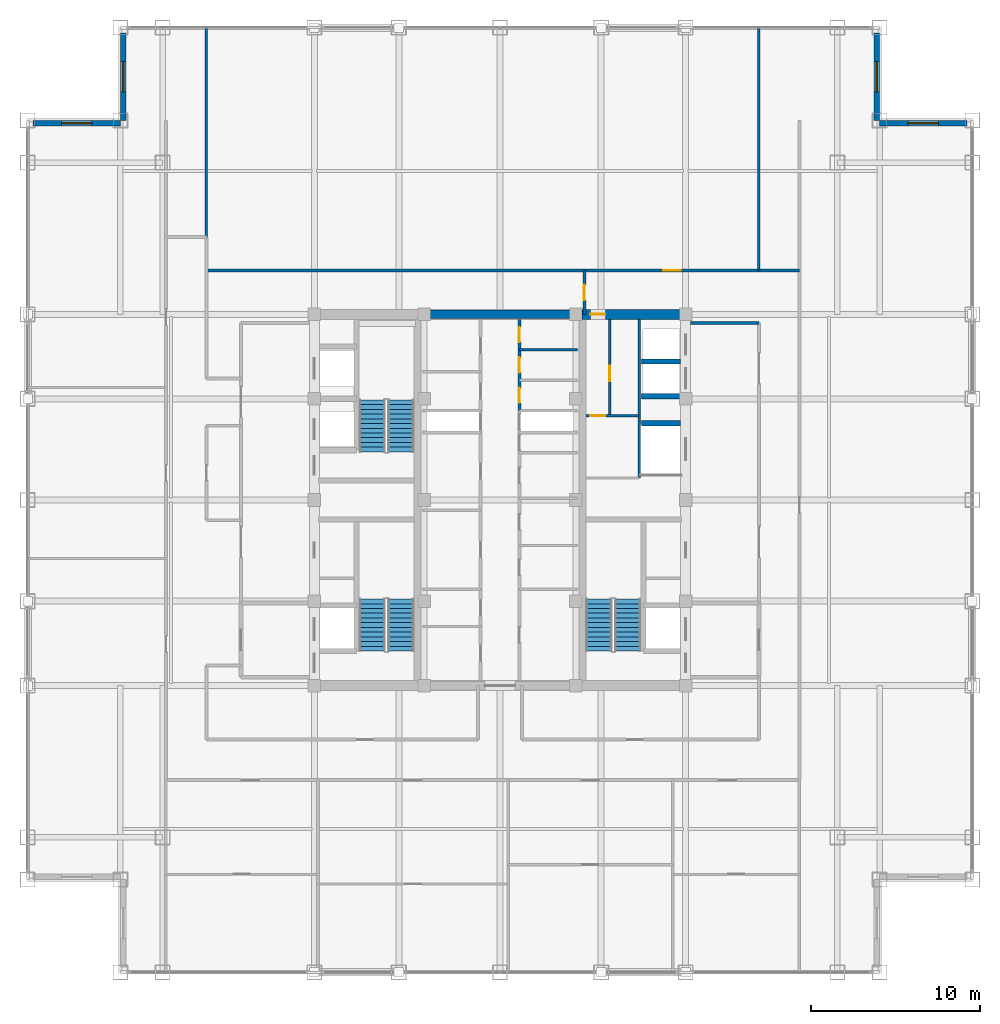
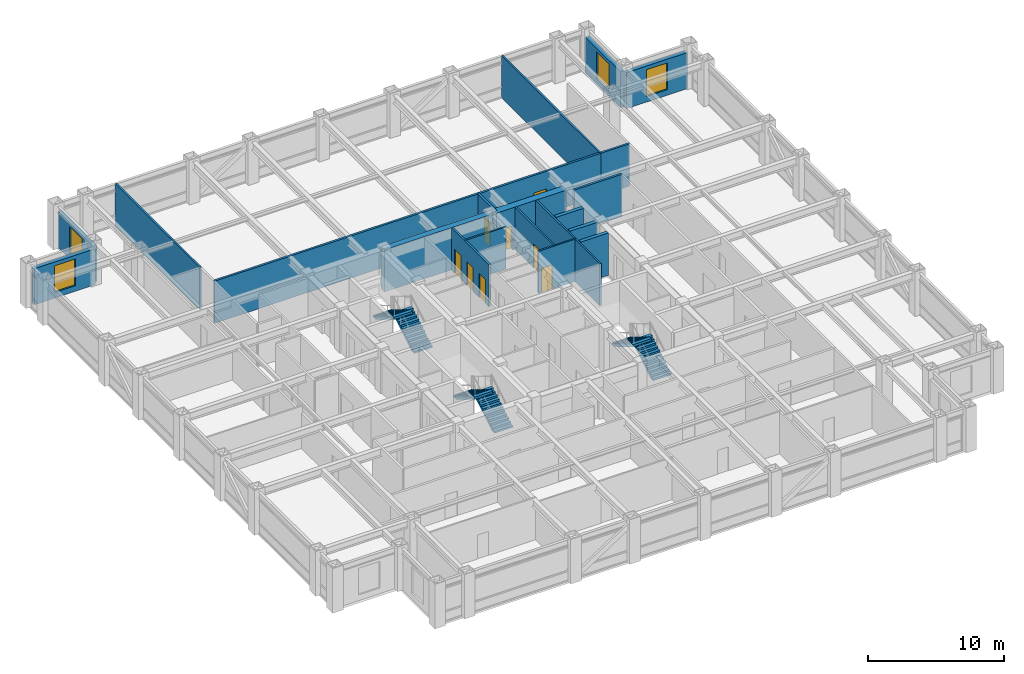
# One storey, part 21 of 22: 20 walls, 8 doors, 6 stair flights, 4 windows, 12 openings, 3 elements without a shape of their own.
"""IFC4 building model written with IfcOpenShell, lengths in metres."""

from ifc_helpers import new_model, si_unit, direction, frame, frame_2d, origin, place, context, subcontext, project, spatial, polyline, rectangle, outline, extrude, source, transform, mapped, material, layer, layer_set, type_object, element, fill, aggregate, save


model = new_model("IFC4")

# Units and contexts
model_context = context("Model", 3, precision=1e-05, world=origin(), true_north=direction((0.0, 1.0)))
body_context = subcontext(model_context, "Body", "Model", "MODEL_VIEW")
ifc_project = project(units=[si_unit("LENGTHUNIT", "METRE"), si_unit("AREAUNIT", "SQUARE_METRE"), si_unit("VOLUMEUNIT", "CUBIC_METRE"), si_unit("PLANEANGLEUNIT", "RADIAN"), si_unit("MASSUNIT", "GRAM", prefix="KILO")], contexts=[model_context])

# Site, building, storey
site_placement = place(None, origin())
site = spatial("IfcSite", under=ifc_project, at=site_placement, CompositionType="ELEMENT")
building_placement = place(site_placement, origin())
building = spatial("IfcBuilding", under=site, at=building_placement, Name="Khorayat Bourse Tower", CompositionType="ELEMENT")
storey_placement = place(building_placement, frame((0.0, 0.0, 297.5)))
storey = spatial("IfcBuildingStorey", under=building, at=storey_placement, Name="L70", CompositionType="ELEMENT", Elevation=297.5)

# Wall, opening, door
ifc_material_1 = material(Name="Concrete C60/75", Category="concrete")
ifc_layer_1 = layer(ifc_material_1, 0.60009765625)
ifc_layer_set_1 = layer_set([ifc_layer_1], Name="Concrete C60/75")
wall_type_1 = type_object("IfcWallType", Name="WAL-CORE-600", PredefinedType="SHEAR", material=ifc_layer_set_1)
shared_shape_1 = source(origin(), body_context, "Body", "SweptSolid", [
    extrude(rectangle(XDim=5.89990234375, YDim=0.60009765625, at=frame_2d((2.949951171875, 0.0))), origin(), (0.0, 0.0, 1.0), 3.780029296875),
])
wall_1_placement = place(storey_placement, frame((4.85009765625, 11.0, 0.0), z_axis=(0.0, 0.0, 1.0), x_axis=(1.0, 0.0, 0.0)))
wall_1 = element("IfcWall", 1, at=wall_1_placement, inside=storey, type_object=wall_type_1, Name="L70 Core Shear Wall PIER-EN", PredefinedType="SHEAR", context=body_context, shape_type="MappedRepresentation", body=[
    mapped(shared_shape_1, transform((0.0, 0.0, 0.0), scale=1.0)),
])
shared_shape_2 = source(origin(), body_context, "Body", "SweptSolid", [
    extrude(rectangle(XDim=0.89990234375, YDim=2.14990234375, at=frame_2d((0.449951171875, 1.074951171875))), frame((0.0, 0.31005859375, 0.0), z_axis=(0.0, -1.0, 0.0), x_axis=(1.0, 0.0, 0.0)), (0.0, 0.0, 1.0), 0.6201171875),
])
opening_1_placement = place(wall_1_placement, frame((0.5, 0.0, 0.0)))
opening_1 = element("IfcOpeningElement", 2, at=opening_1_placement, cuts=wall_1, Name="Opening DI-06", PredefinedType="OPENING", context=body_context, shape_type="MappedRepresentation", body=[
    mapped(shared_shape_2, transform((0.0, 0.0, 0.0), scale=1.0)),
])
ifc_material_2 = material(Name="Moisture-resistant laminate washroom door")
door_type_1 = type_object("IfcDoorType", Name="DR-INT-WC-900", OperationType="NOTDEFINED", PredefinedType="DOOR", material=ifc_material_2)
shared_shape_3 = source(origin(), body_context, "Body", "SweptSolid", [
    extrude(rectangle(XDim=0.89990234375, YDim=2.14990234375, at=frame_2d((0.449951171875, 1.074951171875))), frame((0.0, 0.02490234375, 0.0), z_axis=(0.0, -1.0, 0.0), x_axis=(1.0, 0.0, 0.0)), (0.0, 0.0, 1.0), 0.050048828125),
])
door_1_placement = place(opening_1_placement, origin())
door_1 = element("IfcDoor", 3, at=door_1_placement, inside=storey, type_object=door_type_1, Name="L70 Core Washroom Lobby Door", OperationType="SINGLE_SWING_LEFT", OverallHeight=2.14990234375, OverallWidth=0.89990234375, PredefinedType="DOOR", context=body_context, shape_type="MappedRepresentation", body=[
    mapped(shared_shape_3, transform((0.0, 0.0, 0.0), scale=1.0)),
])
fill(opening_1, door_1)

# Wall
ifc_material_3 = material(Name="Concrete C52/65", Category="concrete")
ifc_layer_2 = layer(ifc_material_3, 0.5)
ifc_layer_set_2 = layer_set([ifc_layer_2], Name="Concrete C52/65")
wall_type_2 = type_object("IfcWallType", Name="WAL-CORE-500", PredefinedType="SHEAR", material=ifc_layer_set_2)
shared_shape_4 = source(origin(), body_context, "Body", "SweptSolid", [
    extrude(rectangle(XDim=9.2001953125, YDim=0.5, at=frame_2d((4.60009765625, 0.0))), origin(), (0.0, 0.0, 1.0), 3.780029296875),
])
wall_2_placement = place(storey_placement, frame((-4.60009765625, 11.0, 0.0), z_axis=(0.0, 0.0, 1.0), x_axis=(1.0, 0.0, 0.0)))
element("IfcWall", 4, at=wall_2_placement, inside=storey, type_object=wall_type_2, Name="L70 Core Shear Wall CORE-N", PredefinedType="SHEAR", context=body_context, shape_type="MappedRepresentation", body=[
    mapped(shared_shape_4, transform((0.0, 0.0, 0.0), scale=1.0)),
])

# Wall, opening, window
ifc_material_4 = material(Name="Precast concrete C45/55", Category="concrete")
ifc_layer_3 = layer(ifc_material_4, 0.320068359375)
ifc_layer_set_3 = layer_set([ifc_layer_3], Name="Precast concrete C45/55")
wall_type_3 = type_object("IfcWallType", Name="WAL-EXT-STONE-320", PredefinedType="STANDARD", material=ifc_layer_set_3)
shared_shape_5 = source(origin(), body_context, "Body", "SweptSolid", [
    extrude(rectangle(XDim=5.179931640625, YDim=0.320068359375, at=frame_2d((2.58984375, 0.0))), origin(), (0.0, 0.0, 1.0), 3.23095703125),
])
wall_3_placement = place(storey_placement, frame((22.5, 22.340087890625, 0.0), z_axis=(0.0, 0.0, 1.0), x_axis=(1.0, 0.0, 0.0)))
wall_3 = element("IfcWall", 5, at=wall_3_placement, inside=storey, type_object=wall_type_3, Name="L70 Re-Entrant Notch Limestone Wall NE-H", PredefinedType="STANDARD", context=body_context, shape_type="MappedRepresentation", body=[
    mapped(shared_shape_5, transform((0.0, 0.0, 0.0), scale=1.0)),
])
shared_shape_6 = source(origin(), body_context, "Body", "SweptSolid", [
    extrude(rectangle(XDim=1.800048828125, YDim=2.39990234375, at=frame_2d((0.89990234375, 1.199951171875))), frame((0.0, 0.169921875, 0.0), z_axis=(0.0, -1.0, 0.0), x_axis=(1.0, 0.0, 0.0)), (0.0, 0.0, 1.0), 0.340087890625),
])
opening_2_placement = place(wall_3_placement, frame((1.68994140625, 0.0, 0.5)))
opening_2 = element("IfcOpeningElement", 6, at=opening_2_placement, cuts=wall_3, Name="Opening WN-04", PredefinedType="OPENING", context=body_context, shape_type="MappedRepresentation", body=[
    mapped(shared_shape_6, transform((0.0, 0.0, 0.0), scale=1.0)),
])
ifc_material_5 = material(Name="Low-E acoustic laminated double glazing", Category="glass")
window_type = type_object("IfcWindowType", Name="WIN-NOTCH-1800x2400", PartitioningType="SINGLE_PANEL", PredefinedType="WINDOW", material=ifc_material_5)
shared_shape_7 = source(origin(), body_context, "Body", "SweptSolid", [
    extrude(rectangle(XDim=1.800048828125, YDim=2.39990234375, at=frame_2d((0.89990234375, 1.199951171875))), frame((0.0, 0.030029296875, 0.0), z_axis=(0.0, -1.0, 0.0), x_axis=(1.0, 0.0, 0.0)), (0.0, 0.0, 1.0), 0.06005859375),
])
window_1_placement = place(opening_2_placement, origin())
window_1 = element("IfcWindow", 7, at=window_1_placement, inside=storey, type_object=window_type, Name="L70 Facade Window 1", OverallHeight=2.39990234375, OverallWidth=1.800048828125, PartitioningType="SINGLE_PANEL", PredefinedType="WINDOW", context=body_context, shape_type="MappedRepresentation", body=[
    mapped(shared_shape_7, transform((0.0, 0.0, 0.0), scale=1.0)),
])
fill(opening_2, window_1)

wall_4_placement = place(storey_placement, frame((22.340087890625, 22.5, 0.0), z_axis=(0.0, 0.0, 1.0), x_axis=(0.0, 1.0, 0.0)))
wall_4 = element("IfcWall", 8, at=wall_4_placement, inside=storey, type_object=wall_type_3, Name="L70 Re-Entrant Notch Limestone Wall NE-V", PredefinedType="STANDARD", context=body_context, shape_type="MappedRepresentation", body=[
    mapped(shared_shape_5, transform((0.0, 0.0, 0.0), scale=1.0)),
])
opening_3_placement = place(wall_4_placement, frame((1.68994140625, 0.0, 0.5)))
opening_3 = element("IfcOpeningElement", 9, at=opening_3_placement, cuts=wall_4, Name="Opening WN-04", PredefinedType="OPENING", context=body_context, shape_type="MappedRepresentation", body=[
    mapped(shared_shape_6, transform((0.0, 0.0, 0.0), scale=1.0)),
])
window_2_placement = place(opening_3_placement, origin())
window_2 = element("IfcWindow", 10, at=window_2_placement, inside=storey, type_object=window_type, Name="L70 Facade Window 1", OverallHeight=2.39990234375, OverallWidth=1.800048828125, PartitioningType="SINGLE_PANEL", PredefinedType="WINDOW", context=body_context, shape_type="MappedRepresentation", body=[
    mapped(shared_shape_7, transform((0.0, 0.0, 0.0), scale=1.0)),
])
fill(opening_3, window_2)

wall_5_placement = place(storey_placement, frame((-22.340087890625, 22.5, 0.0), z_axis=(0.0, 0.0, 1.0), x_axis=(0.0, 1.0, 0.0)))
wall_5 = element("IfcWall", 11, at=wall_5_placement, inside=storey, type_object=wall_type_3, Name="L70 Re-Entrant Notch Limestone Wall NW-V", PredefinedType="STANDARD", context=body_context, shape_type="MappedRepresentation", body=[
    mapped(shared_shape_5, transform((0.0, 0.0, 0.0), scale=1.0)),
])
opening_4_placement = place(wall_5_placement, frame((1.68994140625, 0.0, 0.5)))
opening_4 = element("IfcOpeningElement", 12, at=opening_4_placement, cuts=wall_5, Name="Opening WN-04", PredefinedType="OPENING", context=body_context, shape_type="MappedRepresentation", body=[
    mapped(shared_shape_6, transform((0.0, 0.0, 0.0), scale=1.0)),
])
window_3_placement = place(opening_4_placement, origin())
window_3 = element("IfcWindow", 13, at=window_3_placement, inside=storey, type_object=window_type, Name="L70 Facade Window 1", OverallHeight=2.39990234375, OverallWidth=1.800048828125, PartitioningType="SINGLE_PANEL", PredefinedType="WINDOW", context=body_context, shape_type="MappedRepresentation", body=[
    mapped(shared_shape_7, transform((0.0, 0.0, 0.0), scale=1.0)),
])
fill(opening_4, window_3)

wall_6_placement = place(storey_placement, frame((-22.5, 22.340087890625, 0.0), z_axis=(0.0, 0.0, 1.0), x_axis=(-1.0, 0.0, 0.0)))
wall_6 = element("IfcWall", 14, at=wall_6_placement, inside=storey, type_object=wall_type_3, Name="L70 Re-Entrant Notch Limestone Wall NW-H", PredefinedType="STANDARD", context=body_context, shape_type="MappedRepresentation", body=[
    mapped(shared_shape_5, transform((0.0, 0.0, 0.0), scale=1.0)),
])
opening_5_placement = place(wall_6_placement, frame((1.68994140625, 0.0, 0.5)))
opening_5 = element("IfcOpeningElement", 15, at=opening_5_placement, cuts=wall_6, Name="Opening WN-04", PredefinedType="OPENING", context=body_context, shape_type="MappedRepresentation", body=[
    mapped(shared_shape_6, transform((0.0, 0.0, 0.0), scale=1.0)),
])
window_4_placement = place(opening_5_placement, origin())
window_4 = element("IfcWindow", 16, at=window_4_placement, inside=storey, type_object=window_type, Name="L70 Facade Window 1", OverallHeight=2.39990234375, OverallWidth=1.800048828125, PartitioningType="SINGLE_PANEL", PredefinedType="WINDOW", context=body_context, shape_type="MappedRepresentation", body=[
    mapped(shared_shape_7, transform((0.0, 0.0, 0.0), scale=1.0)),
])
fill(opening_5, window_4)

# Walls
ifc_material_6 = material(Name="Concrete C50/60", Category="concrete")
ifc_layer_4 = layer(ifc_material_6, 0.300048828125)
ifc_layer_set_4 = layer_set([ifc_layer_4], Name="Concrete C50/60")
wall_type_4 = type_object("IfcWallType", Name="WAL-SHAFT-300", PredefinedType="SHEAR", material=ifc_layer_set_4)
shared_shape_8 = source(origin(), body_context, "Body", "SweptSolid", [
    extrude(rectangle(XDim=2.300048828125, YDim=0.300048828125, at=frame_2d((1.14990234375, 0.0))), origin(), (0.0, 0.0, 1.0), 3.780029296875),
])
for number, where, z_axis, x_axis, name in (
    (17, (8.39990234375, 4.550048828125, 0.0), (0.0, 0.0, 1.0), (1.0, 0.0, 0.0), "L70 Partition WAL-L70-EPIER-SVLN"),
    (18, (8.39990234375, 6.14990234375, 0.0), (0.0, 0.0, 1.0), (1.0, 0.0, 0.0), "L70 Partition WAL-L70-EPIER-H3S"),
    (19, (8.39990234375, 8.199951171875, 0.0), (0.0, 0.0, 1.0), (1.0, 0.0, 0.0), "L70 Partition WAL-L70-EPIER-H34"),
):
    element("IfcWall", number, at=place(storey_placement, frame(where, z_axis=z_axis, x_axis=x_axis)), inside=storey, type_object=wall_type_4, Name=name, PredefinedType="SHEAR", context=body_context, shape_type="MappedRepresentation", body=[
        mapped(shared_shape_8, transform((0.0, 0.0, 0.0), scale=1.0)),
    ])
ifc_material_7 = material(Name="Moisture-resistant masonry partition", Category="masonry")
ifc_layer_5 = layer(ifc_material_7, 0.139892578125)
ifc_layer_set_5 = layer_set([ifc_layer_5], Name="Moisture-resistant masonry partition")
wall_type_5 = type_object("IfcWallType", Name="WAL-PART-WET-140", PredefinedType="PARTITIONING", material=ifc_layer_set_5)
shared_shape_9 = source(origin(), body_context, "Body", "SweptSolid", [
    extrude(rectangle(XDim=9.39990234375, YDim=0.139892578125, at=frame_2d((4.699951171875, 0.0))), origin(), (0.0, 0.0, 1.0), 3.780029296875),
])
wall_7_placement = place(storey_placement, frame((8.25, 1.300048828125, 0.0), z_axis=(0.0, 0.0, 1.0), x_axis=(0.0, 1.0, 0.0)))
element("IfcWall", 20, at=wall_7_placement, inside=storey, type_object=wall_type_5, Name="L70 Partition WAL-L70-ECORE-E", PredefinedType="PARTITIONING", context=body_context, shape_type="MappedRepresentation", body=[
    mapped(shared_shape_9, transform((0.0, 0.0, 0.0), scale=1.0)),
])

# Wall, opening, door
shared_shape_10 = source(origin(), body_context, "Body", "SweptSolid", [
    extrude(rectangle(XDim=3.14990234375, YDim=0.139892578125, at=frame_2d((1.574951171875, 0.0))), origin(), (0.0, 0.0, 1.0), 3.780029296875),
])
wall_8_placement = place(storey_placement, frame((5.10009765625, 5.0, 0.0), z_axis=(0.0, 0.0, 1.0), x_axis=(1.0, 0.0, 0.0)))
wall_8 = element("IfcWall", 21, at=wall_8_placement, inside=storey, type_object=wall_type_5, Name="L70 Partition WAL-L70-ECW-BOT", PredefinedType="PARTITIONING", context=body_context, shape_type="MappedRepresentation", body=[
    mapped(shared_shape_10, transform((0.0, 0.0, 0.0), scale=1.0)),
])
shared_shape_11 = source(origin(), body_context, "Body", "SweptSolid", [
    extrude(rectangle(XDim=0.89990234375, YDim=2.14990234375, at=frame_2d((0.449951171875, 1.074951171875))), frame((0.0, 0.079833984375, 0.0), z_axis=(0.0, -1.0, 0.0), x_axis=(1.0, 0.0, 0.0)), (0.0, 0.0, 1.0), 0.159912109375),
])
opening_6_placement = place(wall_8_placement, frame((0.25, 0.0, 0.0)))
opening_6 = element("IfcOpeningElement", 22, at=opening_6_placement, cuts=wall_8, Name="Opening DI-06", PredefinedType="OPENING", context=body_context, shape_type="MappedRepresentation", body=[
    mapped(shared_shape_11, transform((0.0, 0.0, 0.0), scale=1.0)),
])
door_2_placement = place(opening_6_placement, origin())
door_2 = element("IfcDoor", 23, at=door_2_placement, inside=storey, type_object=door_type_1, Name="L70 Shared Washroom Door", OperationType="SINGLE_SWING_LEFT", OverallHeight=2.14990234375, OverallWidth=0.89990234375, PredefinedType="DOOR", context=body_context, shape_type="MappedRepresentation", body=[
    mapped(shared_shape_3, transform((0.0, 0.0, 0.0), scale=1.0)),
])
fill(opening_6, door_2)

# Wall
ifc_material_8 = material(Name="Gypsum plasterboard acoustic stud wall")
ifc_layer_6 = layer(ifc_material_8, 0.179931640625)
ifc_layer_set_6 = layer_set([ifc_layer_6], Name="Gypsum plasterboard acoustic stud wall")
wall_type_6 = type_object("IfcWallType", Name="WAL-PART-CORR-180", PredefinedType="PARTITIONING", material=ifc_layer_set_6)
shared_shape_12 = source(origin(), body_context, "Body", "SweptSolid", [
    extrude(rectangle(XDim=4.050048828125, YDim=0.179931640625, at=frame_2d((2.02490234375, 0.0))), origin(), (0.0, 0.0, 1.0), 3.780029296875),
])
wall_9_placement = place(storey_placement, frame((11.300048828125, 10.5, 0.0), z_axis=(0.0, 0.0, 1.0), x_axis=(1.0, 0.0, 0.0)))
element("IfcWall", 24, at=wall_9_placement, inside=storey, type_object=wall_type_6, Name="L70 Partition WAL-L70-ELOB-N", PredefinedType="PARTITIONING", context=body_context, shape_type="MappedRepresentation", body=[
    mapped(shared_shape_12, transform((0.0, 0.0, 0.0), scale=1.0)),
])

# Wall, openings, doors
shared_shape_13 = source(origin(), body_context, "Body", "SweptSolid", [
    extrude(rectangle(XDim=5.39990234375, YDim=0.179931640625, at=frame_2d((2.699951171875, 0.0))), origin(), (0.0, 0.0, 1.0), 3.780029296875),
])
wall_10_placement = place(storey_placement, frame((1.14990234375, 5.300048828125, 0.0), z_axis=(0.0, 0.0, 1.0), x_axis=(0.0, 1.0, 0.0)))
wall_10 = element("IfcWall", 25, at=wall_10_placement, inside=storey, type_object=wall_type_6, Name="L70 Partition WAL-L70-FB2E-L", PredefinedType="PARTITIONING", context=body_context, shape_type="MappedRepresentation", body=[
    mapped(shared_shape_13, transform((0.0, 0.0, 0.0), scale=1.0)),
])
shared_shape_14 = source(origin(), body_context, "Body", "SweptSolid", [
    extrude(rectangle(XDim=0.89990234375, YDim=2.14990234375, at=frame_2d((0.449951171875, 1.074951171875))), frame((0.0, 0.099853515625, 0.0), z_axis=(0.0, -1.0, 0.0), x_axis=(1.0, 0.0, 0.0)), (0.0, 0.0, 1.0), 0.199951171875),
])
opening_7_placement = place(wall_10_placement, frame((0.449951171875, 0.0, 0.0)))
opening_7 = element("IfcOpeningElement", 26, at=opening_7_placement, cuts=wall_10, Name="Opening DI-06", PredefinedType="OPENING", context=body_context, shape_type="MappedRepresentation", body=[
    mapped(shared_shape_14, transform((0.0, 0.0, 0.0), scale=1.0)),
])
opening_8_placement = place(wall_10_placement, frame((2.25, 0.0, 0.0)))
opening_8 = element("IfcOpeningElement", 27, at=opening_8_placement, cuts=wall_10, Name="Opening DI-06", PredefinedType="OPENING", context=body_context, shape_type="MappedRepresentation", body=[
    mapped(shared_shape_14, transform((0.0, 0.0, 0.0), scale=1.0)),
])
opening_9_placement = place(wall_10_placement, frame((4.050048828125, 0.0, 0.0)))
opening_9 = element("IfcOpeningElement", 28, at=opening_9_placement, cuts=wall_10, Name="Opening DI-06", PredefinedType="OPENING", context=body_context, shape_type="MappedRepresentation", body=[
    mapped(shared_shape_14, transform((0.0, 0.0, 0.0), scale=1.0)),
])
door_3_placement = place(opening_7_placement, origin())
door_3 = element("IfcDoor", 29, at=door_3_placement, inside=storey, type_object=door_type_1, Name="L70 Linen Store Door", OperationType="SINGLE_SWING_RIGHT", OverallHeight=2.14990234375, OverallWidth=0.89990234375, PredefinedType="DOOR", context=body_context, shape_type="MappedRepresentation", body=[
    mapped(shared_shape_3, transform((0.0, 0.0, 0.0), scale=1.0)),
])
fill(opening_7, door_3)
door_4_placement = place(opening_8_placement, origin())
door_4 = element("IfcDoor", 30, at=door_4_placement, inside=storey, type_object=door_type_1, Name="L70 Sub-Meter Room Door", OperationType="SINGLE_SWING_LEFT", OverallHeight=2.14990234375, OverallWidth=0.89990234375, PredefinedType="DOOR", context=body_context, shape_type="MappedRepresentation", body=[
    mapped(shared_shape_3, transform((0.0, 0.0, 0.0), scale=1.0)),
])
fill(opening_8, door_4)
door_5_placement = place(opening_9_placement, origin())
door_5 = element("IfcDoor", 31, at=door_5_placement, inside=storey, type_object=door_type_1, Name="L70 Records Store Door", OperationType="SINGLE_SWING_RIGHT", OverallHeight=2.14990234375, OverallWidth=0.89990234375, PredefinedType="DOOR", context=body_context, shape_type="MappedRepresentation", body=[
    mapped(shared_shape_3, transform((0.0, 0.0, 0.0), scale=1.0)),
])
fill(opening_9, door_5)

# Wall
shared_shape_15 = source(origin(), body_context, "Body", "SweptSolid", [
    extrude(rectangle(XDim=3.4501953125, YDim=0.139892578125, at=frame_2d((1.72509765625, 0.0))), origin(), (0.0, 0.0, 1.0), 3.780029296875),
])
wall_11_placement = place(storey_placement, frame((1.14990234375, 8.89990234375, 0.0), z_axis=(0.0, 0.0, 1.0), x_axis=(1.0, 0.0, 0.0)))
element("IfcWall", 32, at=wall_11_placement, inside=storey, type_object=wall_type_5, Name="L70 Partition WAL-L70-FB2E-D2", PredefinedType="PARTITIONING", context=body_context, shape_type="MappedRepresentation", body=[
    mapped(shared_shape_15, transform((0.0, 0.0, 0.0), scale=1.0)),
])

# Wall, opening, door
shared_shape_16 = source(origin(), body_context, "Body", "SweptSolid", [
    extrude(rectangle(XDim=2.60009765625, YDim=0.179931640625, at=frame_2d((1.300048828125, 0.0))), origin(), (0.0, 0.0, 1.0), 3.780029296875),
])
wall_12_placement = place(storey_placement, frame((5.0, 11.0, 0.0), z_axis=(0.0, 0.0, 1.0), x_axis=(0.0, 1.0, 0.0)))
wall_12 = element("IfcWall", 33, at=wall_12_placement, inside=storey, type_object=wall_type_6, Name="L70 Partition WAL-L70-CORRNE-W", PredefinedType="PARTITIONING", context=body_context, shape_type="MappedRepresentation", body=[
    mapped(shared_shape_16, transform((0.0, 0.0, 0.0), scale=1.0)),
])
opening_10_placement = place(wall_12_placement, frame((0.85009765625, 0.0, 0.0)))
opening_10 = element("IfcOpeningElement", 34, at=opening_10_placement, cuts=wall_12, Name="Opening DI-06", PredefinedType="OPENING", context=body_context, shape_type="MappedRepresentation", body=[
    mapped(shared_shape_14, transform((0.0, 0.0, 0.0), scale=1.0)),
])
door_6_placement = place(opening_10_placement, origin())
door_6 = element("IfcDoor", 35, at=door_6_placement, inside=storey, type_object=door_type_1, Name="L70 North Core Pantry Door", OperationType="SINGLE_SWING_LEFT", OverallHeight=2.14990234375, OverallWidth=0.89990234375, PredefinedType="DOOR", context=body_context, shape_type="MappedRepresentation", body=[
    mapped(shared_shape_3, transform((0.0, 0.0, 0.0), scale=1.0)),
])
fill(opening_10, door_6)

# Wall
shared_shape_17 = source(origin(), body_context, "Body", "SweptSolid", [
    extrude(rectangle(XDim=2.39990234375, YDim=0.179931640625, at=frame_2d((1.199951171875, 0.0))), origin(), (0.0, 0.0, 1.0), 3.780029296875),
])
wall_13_placement = place(storey_placement, frame((15.35009765625, 13.60009765625, 0.0), z_axis=(0.0, 0.0, 1.0), x_axis=(1.0, 0.0, 0.0)))
element("IfcWall", 36, at=wall_13_placement, inside=storey, type_object=wall_type_6, Name="L70 Partition WAL-L70-GALE-N", PredefinedType="PARTITIONING", context=body_context, shape_type="MappedRepresentation", body=[
    mapped(shared_shape_17, transform((0.0, 0.0, 0.0), scale=1.0)),
])

# Wall, opening, door
shared_shape_18 = source(origin(), body_context, "Body", "SweptSolid", [
    extrude(rectangle(XDim=32.75, YDim=0.179931640625, at=frame_2d((16.375, 0.0))), origin(), (0.0, 0.0, 1.0), 3.780029296875),
])
wall_14_placement = place(storey_placement, frame((-17.39990234375, 13.60009765625, 0.0), z_axis=(0.0, 0.0, 1.0), x_axis=(1.0, 0.0, 0.0)))
wall_14 = element("IfcWall", 37, at=wall_14_placement, inside=storey, type_object=wall_type_6, Name="L70 Partition WAL-L70-NCORR", PredefinedType="PARTITIONING", context=body_context, shape_type="MappedRepresentation", body=[
    mapped(shared_shape_18, transform((0.0, 0.0, 0.0), scale=1.0)),
])
shared_shape_19 = source(origin(), body_context, "Body", "SweptSolid", [
    extrude(rectangle(XDim=1.050048828125, YDim=2.199951171875, at=frame_2d((0.52490234375, 1.10009765625))), frame((0.0, 0.099853515625, 0.0), z_axis=(0.0, -1.0, 0.0), x_axis=(1.0, 0.0, 0.0)), (0.0, 0.0, 1.0), 0.199951171875),
])
opening_11_placement = place(wall_14_placement, frame((27.074951171875, 0.0, 0.0)))
opening_11 = element("IfcOpeningElement", 38, at=opening_11_placement, cuts=wall_14, Name="Opening DI-04", PredefinedType="OPENING", context=body_context, shape_type="MappedRepresentation", body=[
    mapped(shared_shape_19, transform((0.0, 0.0, 0.0), scale=1.0)),
])
ifc_material_9 = material(Name="Fire-rated oak veneer suite entrance door")
door_type_2 = type_object("IfcDoorType", Name="DR-INT-SUITE-1050", OperationType="NOTDEFINED", PredefinedType="DOOR", material=ifc_material_9)
shared_shape_20 = source(origin(), body_context, "Body", "SweptSolid", [
    extrude(rectangle(XDim=1.050048828125, YDim=2.199951171875, at=frame_2d((0.52490234375, 1.10009765625))), frame((0.0, 0.02490234375, 0.0), z_axis=(0.0, -1.0, 0.0), x_axis=(1.0, 0.0, 0.0)), (0.0, 0.0, 1.0), 0.050048828125),
])
door_7_placement = place(opening_11_placement, origin())
door_7 = element("IfcDoor", 39, at=door_7_placement, inside=storey, type_object=door_type_2, Name="L70 Market Reference Library N1 Door", OperationType="SINGLE_SWING_RIGHT", OverallHeight=2.199951171875, OverallWidth=1.050048828125, PredefinedType="DOOR", context=body_context, shape_type="MappedRepresentation", body=[
    mapped(shared_shape_20, transform((0.0, 0.0, 0.0), scale=1.0)),
])
fill(opening_11, door_7)

# Walls
ifc_material_10 = material(Name="Gypsum plasterboard twin-frame partition")
ifc_layer_7 = layer(ifc_material_10, 0.14990234375)
ifc_layer_set_7 = layer_set([ifc_layer_7], Name="Gypsum plasterboard twin-frame partition")
wall_type_7 = type_object("IfcWallType", Name="WAL-PART-SUITE-150", PredefinedType="PARTITIONING", material=ifc_layer_set_7)
shared_shape_21 = source(origin(), body_context, "Body", "SweptSolid", [
    extrude(rectangle(XDim=12.39990234375, YDim=0.14990234375, at=frame_2d((6.199951171875, 0.0))), origin(), (0.0, 0.0, 1.0), 3.780029296875),
])
wall_15_placement = place(storey_placement, frame((-17.39990234375, 15.60009765625, 0.0), z_axis=(0.0, 0.0, 1.0), x_axis=(0.0, 1.0, 0.0)))
element("IfcWall", 40, at=wall_15_placement, inside=storey, type_object=wall_type_7, Name="L70 Partition WAL-L70-NCW-END", PredefinedType="PARTITIONING", context=body_context, shape_type="MappedRepresentation", body=[
    mapped(shared_shape_21, transform((0.0, 0.0, 0.0), scale=1.0)),
])
shared_shape_22 = source(origin(), body_context, "Body", "SweptSolid", [
    extrude(rectangle(XDim=14.39990234375, YDim=0.14990234375, at=frame_2d((7.199951171875, 0.0))), origin(), (0.0, 0.0, 1.0), 3.780029296875),
])
wall_16_placement = place(storey_placement, frame((15.35009765625, 13.60009765625, 0.0), z_axis=(0.0, 0.0, 1.0), x_axis=(0.0, 1.0, 0.0)))
element("IfcWall", 41, at=wall_16_placement, inside=storey, type_object=wall_type_7, Name="L70 Partition WAL-L70-NCE-END", PredefinedType="PARTITIONING", context=body_context, shape_type="MappedRepresentation", body=[
    mapped(shared_shape_22, transform((0.0, 0.0, 0.0), scale=1.0)),
])

# Wall, opening, door
shared_shape_23 = source(origin(), body_context, "Body", "SweptSolid", [
    extrude(rectangle(XDim=5.699951171875, YDim=0.139892578125, at=frame_2d((2.85009765625, 0.0))), origin(), (0.0, 0.0, 1.0), 3.780029296875),
])
wall_17_placement = place(storey_placement, frame((6.5, 5.0, 0.0), z_axis=(0.0, 0.0, 1.0), x_axis=(0.0, 1.0, 0.0)))
wall_17 = element("IfcWall", 42, at=wall_17_placement, inside=storey, type_object=wall_type_5, Name="L70 Partition WAL-L70-ECW-MID", PredefinedType="PARTITIONING", context=body_context, shape_type="MappedRepresentation", body=[
    mapped(shared_shape_23, transform((0.0, 0.0, 0.0), scale=1.0)),
])
opening_12_placement = place(wall_17_placement, frame((2.050048828125, 0.0, 0.0)))
opening_12 = element("IfcOpeningElement", 43, at=opening_12_placement, cuts=wall_17, Name="Opening DI-06", PredefinedType="OPENING", context=body_context, shape_type="MappedRepresentation", body=[
    mapped(shared_shape_11, transform((0.0, 0.0, 0.0), scale=1.0)),
])
door_8_placement = place(opening_12_placement, origin())
door_8 = element("IfcDoor", 44, at=door_8_placement, inside=storey, type_object=door_type_1, Name="L70 Accessible WC Door", OperationType="SINGLE_SWING_RIGHT", OverallHeight=2.14990234375, OverallWidth=0.89990234375, PredefinedType="DOOR", context=body_context, shape_type="MappedRepresentation", body=[
    mapped(shared_shape_3, transform((0.0, 0.0, 0.0), scale=1.0)),
])
fill(opening_12, door_8)

# Stair, stair flights
ifc_material_11 = material(Name="Concrete C40/50", Category="concrete")
stair_type = type_object("IfcStairType", Name="STR-CORE-1550", PredefinedType="HALF_TURN_STAIR", material=ifc_material_11)
stair_1_placement = place(storey_placement, origin())
stair_1 = element("IfcStair", 45, at=stair_1_placement, inside=storey, type_object=stair_type, Name="L70 Exit Stair ST-1", PredefinedType="HALF_TURN_STAIR")
stair_flight_type = type_object("IfcStairFlightType", Name="FLT-CORE-1550", PredefinedType="STRAIGHT", material=ifc_material_11)
shared_shape_24 = source(origin(), body_context, "Body", "SweptSolid", [
    extrude(outline(polyline([(0.0, 0.0), (0.0, 0.166748046875), (0.280029296875, 0.166748046875), (0.280029296875, 0.333251953125), (0.56005859375, 0.333251953125), (0.56005859375, 0.5), (0.840087890625, 0.5), (0.840087890625, 0.666748046875), (1.1201171875, 0.666748046875), (1.1201171875, 0.833251953125), (1.39990234375, 0.833251953125), (1.39990234375, 1.0), (1.679931640625, 1.0), (1.679931640625, 1.166748046875), (1.9599609375, 1.166748046875), (1.9599609375, 1.333251953125), (2.239990234375, 1.333251953125), (2.239990234375, 1.5), (2.52001953125, 1.5), (2.52001953125, 1.666748046875), (2.800048828125, 1.666748046875), (2.800048828125, 1.833251953125), (3.080078125, 1.833251953125), (3.080078125, 2.0), (3.080078125, 1.6240234375), (0.351806640625, 0.0), (0.0, 0.0)])), frame((0.0, 0.77490234375, 0.0), z_axis=(0.0, -1.0, 0.0), x_axis=(1.0, 0.0, 0.0)), (0.0, 0.0, 1.0), 1.550048828125),
])
stair_flight_1_placement = place(storey_placement, frame((-5.875, -8.949951171875, 0.0), z_axis=(0.0, 0.0, 1.0), x_axis=(0.0, 1.0, 0.0)))
stair_flight_1 = element("IfcStairFlight", 46, at=stair_flight_1_placement, type_object=stair_flight_type, Name="ST-1 flight 1", NumberOfRisers=12, NumberOfTreads=11, PredefinedType="STRAIGHT", RiserHeight=0.166666667, TreadLength=0.28, context=body_context, shape_type="MappedRepresentation", body=[
    mapped(shared_shape_24, transform((0.0, 0.0, 0.0), scale=1.0)),
])
stair_flight_2_placement = place(storey_placement, frame((-7.574951171875, -5.8701171875, 2.0), z_axis=(0.0, 0.0, 1.0), x_axis=(0.0, -1.0, 0.0)))
stair_flight_2 = element("IfcStairFlight", 47, at=stair_flight_2_placement, type_object=stair_flight_type, Name="ST-1 flight 2", NumberOfRisers=12, NumberOfTreads=11, PredefinedType="STRAIGHT", RiserHeight=0.166666667, TreadLength=0.28, context=body_context, shape_type="MappedRepresentation", body=[
    mapped(shared_shape_24, transform((0.0, 0.0, 0.0), scale=1.0)),
])
aggregate(stair_1, [stair_flight_1, stair_flight_2])

stair_2_placement = place(storey_placement, origin())
stair_2 = element("IfcStair", 48, at=stair_2_placement, inside=storey, type_object=stair_type, Name="L70 Exit Stair ST-2", PredefinedType="HALF_TURN_STAIR")
stair_flight_3_placement = place(storey_placement, frame((-5.875, 2.85009765625, 0.0), z_axis=(0.0, 0.0, 1.0), x_axis=(0.0, 1.0, 0.0)))
stair_flight_3 = element("IfcStairFlight", 49, at=stair_flight_3_placement, type_object=stair_flight_type, Name="ST-2 flight 1", NumberOfRisers=12, NumberOfTreads=11, PredefinedType="STRAIGHT", RiserHeight=0.166666667, TreadLength=0.28, context=body_context, shape_type="MappedRepresentation", body=[
    mapped(shared_shape_24, transform((0.0, 0.0, 0.0), scale=1.0)),
])
stair_flight_4_placement = place(storey_placement, frame((-7.574951171875, 5.929931640625, 2.0), z_axis=(0.0, 0.0, 1.0), x_axis=(0.0, -1.0, 0.0)))
stair_flight_4 = element("IfcStairFlight", 50, at=stair_flight_4_placement, type_object=stair_flight_type, Name="ST-2 flight 2", NumberOfRisers=12, NumberOfTreads=11, PredefinedType="STRAIGHT", RiserHeight=0.166666667, TreadLength=0.28, context=body_context, shape_type="MappedRepresentation", body=[
    mapped(shared_shape_24, transform((0.0, 0.0, 0.0), scale=1.0)),
])
aggregate(stair_2, [stair_flight_3, stair_flight_4])

stair_3_placement = place(storey_placement, origin())
stair_3 = element("IfcStair", 51, at=stair_3_placement, inside=storey, type_object=stair_type, Name="L70 Exit Stair ST-3", PredefinedType="HALF_TURN_STAIR")
stair_flight_5_placement = place(storey_placement, frame((7.574951171875, -8.949951171875, 0.0), z_axis=(0.0, 0.0, 1.0), x_axis=(0.0, 1.0, 0.0)))
stair_flight_5 = element("IfcStairFlight", 52, at=stair_flight_5_placement, type_object=stair_flight_type, Name="ST-3 flight 1", NumberOfRisers=12, NumberOfTreads=11, PredefinedType="STRAIGHT", RiserHeight=0.166666667, TreadLength=0.28, context=body_context, shape_type="MappedRepresentation", body=[
    mapped(shared_shape_24, transform((0.0, 0.0, 0.0), scale=1.0)),
])
stair_flight_6_placement = place(storey_placement, frame((5.875, -5.8701171875, 2.0), z_axis=(0.0, 0.0, 1.0), x_axis=(0.0, -1.0, 0.0)))
stair_flight_6 = element("IfcStairFlight", 53, at=stair_flight_6_placement, type_object=stair_flight_type, Name="ST-3 flight 2", NumberOfRisers=12, NumberOfTreads=11, PredefinedType="STRAIGHT", RiserHeight=0.166666667, TreadLength=0.28, context=body_context, shape_type="MappedRepresentation", body=[
    mapped(shared_shape_24, transform((0.0, 0.0, 0.0), scale=1.0)),
])
aggregate(stair_3, [stair_flight_5, stair_flight_6])

save(model, "model.ifc")
